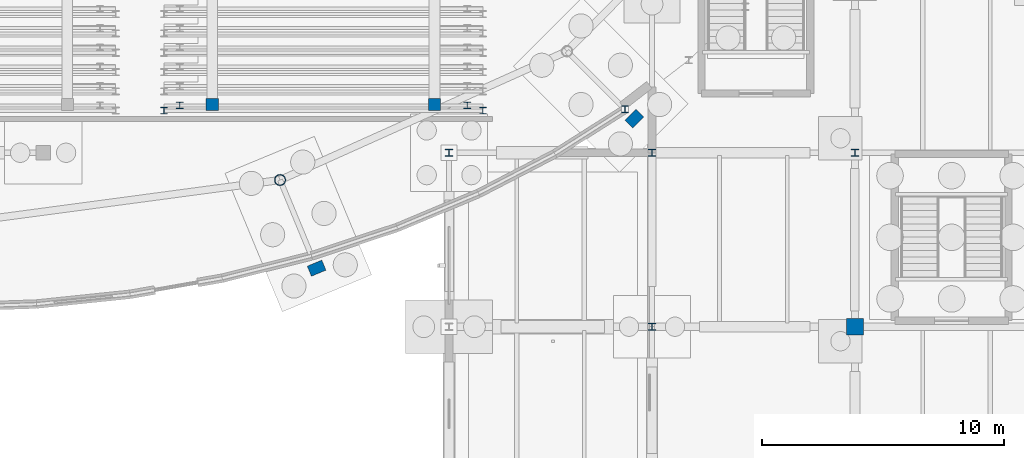
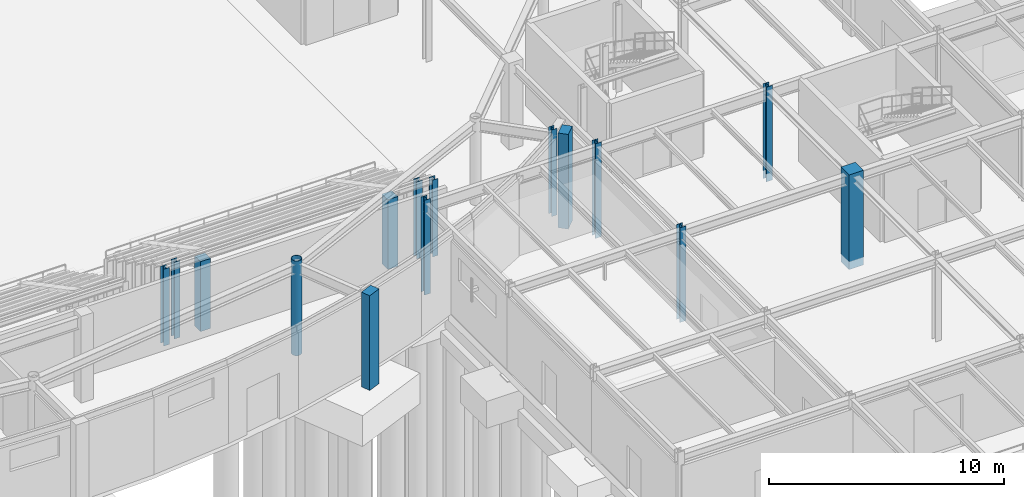
# One storey, part 14 of 93: 15 columns.
"""IFC4 building model written with IfcOpenShell, lengths in metres."""

from ifc_helpers import new_model, si_unit, derived_unit, direction, frame, origin, origin_2d, place, context, subcontext, project, spatial, rectangle, hollow_circle, i_section, extrude, material, material_profile, profile_set, type_object, element, save


model = new_model("IFC4")

# Units and contexts
model_context = context("Model", 3, precision=1e-05, world=origin(), true_north=direction((0.0, 1.0)))
body_context = subcontext(model_context, "Body", "Model", "MODEL_VIEW")
ifc_project = project(units=[si_unit("LENGTHUNIT", "METRE"), si_unit("AREAUNIT", "SQUARE_METRE"), si_unit("VOLUMEUNIT", "CUBIC_METRE"), si_unit("PLANEANGLEUNIT", "RADIAN"), si_unit("MASSUNIT", "GRAM", prefix="KILO"), derived_unit("THERMALTRANSMITTANCEUNIT", [(si_unit("MASSUNIT", "GRAM", prefix="KILO"), 1), (si_unit("TIMEUNIT", "SECOND"), -3), (si_unit("THERMODYNAMICTEMPERATUREUNIT", "KELVIN"), -1)])], contexts=[model_context])

# Site, building, storey
site_placement = place(None, origin())
site = spatial("IfcSite", under=ifc_project, at=site_placement, CompositionType="ELEMENT")
building_placement = place(site_placement, origin())
building = spatial("IfcBuilding", under=site, at=building_placement, Name="Kharveza Railside Sports Centre", CompositionType="ELEMENT")
storey_placement = place(building_placement, origin())
storey = spatial("IfcBuildingStorey", under=building, at=storey_placement, Name="L00", CompositionType="ELEMENT", Elevation=0.0)

# Columns
ifc_material_1 = material(Name="Concrete C35/45", Category="concrete")
ifc_material_profile_1 = material_profile(ifc_material_1, rectangle(XDim=0.699951171875, YDim=0.699951171875, at=origin_2d()), Name="RC 700x700")
ifc_profile_set_1 = profile_set([ifc_material_profile_1], Name="Concrete C35/45")
column_type_1 = type_object("IfcColumnType", Name="COL-RC01", PredefinedType="COLUMN", material=ifc_profile_set_1)
column_1_placement = place(storey_placement, frame((92.39990234375, 21.60009765625, -0.419921875), z_axis=(0.0, 0.0, 1.0), x_axis=(1.0, 0.0, 0.0)))
element("IfcColumn", 1, at=column_1_placement, inside=storey, type_object=column_type_1, Name="COL-G-C19-X924-Y216-L00", PredefinedType="COLUMN", context=body_context, shape_type="SweptSolid", body=[
    extrude(rectangle(XDim=0.699951171875, YDim=0.699951171875, at=origin_2d()), origin(), (0.0, 0.0, 1.0), 4.919921875),
])
ifc_material_profile_2 = material_profile(ifc_material_1, rectangle(XDim=0.5, YDim=0.5, at=origin_2d()), Name="RC 500x500")
ifc_profile_set_2 = profile_set([ifc_material_profile_2], Name="Concrete C35/45")
column_type_2 = type_object("IfcColumnType", Name="COL-RC03", PredefinedType="COLUMN", material=ifc_profile_set_2)
for number, where, z_axis, x_axis, name in (
    (2, (65.800048828125, 30.800048828125, 0.0), (0.0, 0.0, 1.0), (1.0, 0.0, 0.0), "COL-RAK-SR-05"),
    (3, (75.0, 30.800048828125, 0.0), (0.0, 0.0, 1.0), (1.0, 0.0, 0.0), "COL-RAK-SR-06"),
):
    element("IfcColumn", number, at=place(storey_placement, frame(where, z_axis=z_axis, x_axis=x_axis)), inside=storey, type_object=column_type_2, Name=name, PredefinedType="COLUMN", context=body_context, shape_type="SweptSolid", body=[
        extrude(rectangle(XDim=0.5, YDim=0.5, at=origin_2d()), origin(), (0.0, 0.0, 1.0), 3.6298828125),
    ])
ifc_material_profile_3 = material_profile(ifc_material_1, rectangle(XDim=0.449951171875, YDim=0.64990234375, at=origin_2d()), Name="RC 450x650")
ifc_profile_set_3 = profile_set([ifc_material_profile_3], Name="Concrete C35/45")
column_type_3 = type_object("IfcColumnType", Name="COL-RC04", PredefinedType="PILASTER", material=ifc_profile_set_3)
for number, where, z_axis, x_axis, name in (
    (4, (70.117919921875, 24.023193359375, -0.419921875), (0.0, 0.0, 1.0), (0.382683432365, -0.923879532511, 0.0), "COL-BUTT-14-L00"),
    (5, (83.273193359375, 30.212158203125, -0.419921875), (0.0, 0.0, 1.0), (0.707106781187, -0.707106781187, 0.0), "COL-BUTT-15-L00"),
):
    element("IfcColumn", number, at=place(storey_placement, frame(where, z_axis=z_axis, x_axis=x_axis)), inside=storey, type_object=column_type_3, Name=name, PredefinedType="PILASTER", context=body_context, shape_type="SweptSolid", body=[
        extrude(rectangle(XDim=0.449951171875, YDim=0.64990234375, at=origin_2d()), origin(), (0.0, 0.0, 1.0), 4.919921875),
    ])
ifc_material_2 = material(Name="Steel S355J2", Category="steel")
ifc_material_profile_4 = material_profile(ifc_material_2, i_section(OverallWidth=0.300048828125, OverallDepth=0.300048828125, WebThickness=0.010986328125, FlangeThickness=0.01904296875, FilletRadius=0.027099609375, at=origin_2d()), Name="HEB 300")
ifc_profile_set_4 = profile_set([ifc_material_profile_4], Name="Steel S355J2")
column_type_4 = type_object("IfcColumnType", Name="COL-S07", PredefinedType="COLUMN", material=ifc_profile_set_4)
for number, where, z_axis, x_axis, name in (
    (6, (75.60009765625, 28.800048828125, -0.419921875), (0.0, 0.0, 1.0), (1.0, 0.0, 0.0), "COL-G-C07-X756-Y288-L00"),
    (7, (84.0, 21.60009765625, -0.419921875), (0.0, 0.0, 1.0), (1.0, 0.0, 0.0), "COL-G-C07-X840-Y216-L00"),
    (8, (84.0, 28.800048828125, -0.419921875), (0.0, 0.0, 1.0), (1.0, 0.0, 0.0), "COL-G-C07-X840-Y288-L00"),
    (9, (92.39990234375, 28.800048828125, -0.419921875), (0.0, 0.0, 1.0), (1.0, 0.0, 0.0), "COL-G-C07-X924-Y288-L00"),
):
    element("IfcColumn", number, at=place(storey_placement, frame(where, z_axis=z_axis, x_axis=x_axis)), inside=storey, type_object=column_type_4, Name=name, PredefinedType="COLUMN", context=body_context, shape_type="SweptSolid", body=[
        extrude(i_section(OverallWidth=0.300048828125, OverallDepth=0.300048828125, WebThickness=0.010986328125, FlangeThickness=0.01904296875, FilletRadius=0.027099609375, at=origin_2d()), origin(), (0.0, 0.0, 1.0), 4.919921875),
    ])
ifc_material_profile_5 = material_profile(ifc_material_2, i_section(OverallWidth=0.280029296875, OverallDepth=0.27001953125, WebThickness=0.008056640625, FlangeThickness=0.012939453125, FilletRadius=0.02392578125, at=origin_2d()), Name="HEA 280")
ifc_profile_set_5 = profile_set([ifc_material_profile_5], Name="Steel S355J2")
column_type_5 = type_object("IfcColumnType", Name="COL-S13", PredefinedType="COLUMN", material=ifc_profile_set_5)
for number, where, z_axis, x_axis, name in (
    (10, (63.800048828125, 30.5400390625, 0.0), (0.0, 0.0, 1.0), (1.0, 0.0, 0.0), "COL-TPST-S01-S3-11"),
    (11, (77.0, 30.5400390625, 0.0), (0.0, 0.0, 1.0), (1.0, 0.0, 0.0), "COL-TPST-S01-S3-12"),
    (12, (64.449951171875, 30.760009765625, 0.0), (0.0, 0.0, 1.0), (1.0, 0.0, 0.0), "COL-TPST-S01-S3-21"),
    (13, (76.35009765625, 30.760009765625, 0.0), (0.0, 0.0, 1.0), (1.0, 0.0, 0.0), "COL-TPST-S01-S3-22"),
):
    element("IfcColumn", number, at=place(storey_placement, frame(where, z_axis=z_axis, x_axis=x_axis)), inside=storey, type_object=column_type_5, Name=name, PredefinedType="COLUMN", context=body_context, shape_type="SweptSolid", body=[
        extrude(i_section(OverallWidth=0.280029296875, OverallDepth=0.27001953125, WebThickness=0.008056640625, FlangeThickness=0.012939453125, FilletRadius=0.02392578125, at=origin_2d()), origin(), (0.0, 0.0, 1.0), 3.989990234375),
    ])
column_2_placement = place(storey_placement, frame((82.88427734375, 30.60107421875, 0.0), z_axis=(0.0, 0.0, 1.0), x_axis=(1.0, 0.0, 0.0)))
element("IfcColumn", 14, at=column_2_placement, inside=storey, type_object=column_type_5, Name="COL-DSILL-L00-82p88-30p6", PredefinedType="COLUMN", context=body_context, shape_type="SweptSolid", body=[
    extrude(i_section(OverallWidth=0.280029296875, OverallDepth=0.27001953125, WebThickness=0.008056640625, FlangeThickness=0.012939453125, FilletRadius=0.02392578125, at=origin_2d()), origin(), (0.0, 0.0, 1.0), 4.5),
])
ifc_material_profile_6 = material_profile(ifc_material_2, hollow_circle(Radius=0.228515625, WallThickness=0.02001953125, at=origin_2d()), Name="CHS 457.0x20.0")
ifc_profile_set_6 = profile_set([ifc_material_profile_6], Name="Steel S355J2")
column_type_6 = type_object("IfcColumnType", Name="COL-T01", PredefinedType="COLUMN", material=ifc_profile_set_6)
column_3_placement = place(storey_placement, frame((68.606201171875, 27.672607421875, -0.419921875), z_axis=(0.0, 0.0, 1.0), x_axis=(1.0, 0.0, 0.0)))
element("IfcColumn", 15, at=column_3_placement, inside=storey, type_object=column_type_6, Name="COL-DRUM-14-L00", PredefinedType="COLUMN", context=body_context, shape_type="SweptSolid", body=[
    extrude(hollow_circle(Radius=0.228515625, WallThickness=0.02001953125, at=origin_2d()), origin(), (0.0, 0.0, 1.0), 4.919921875),
])

save(model, "model.ifc")
